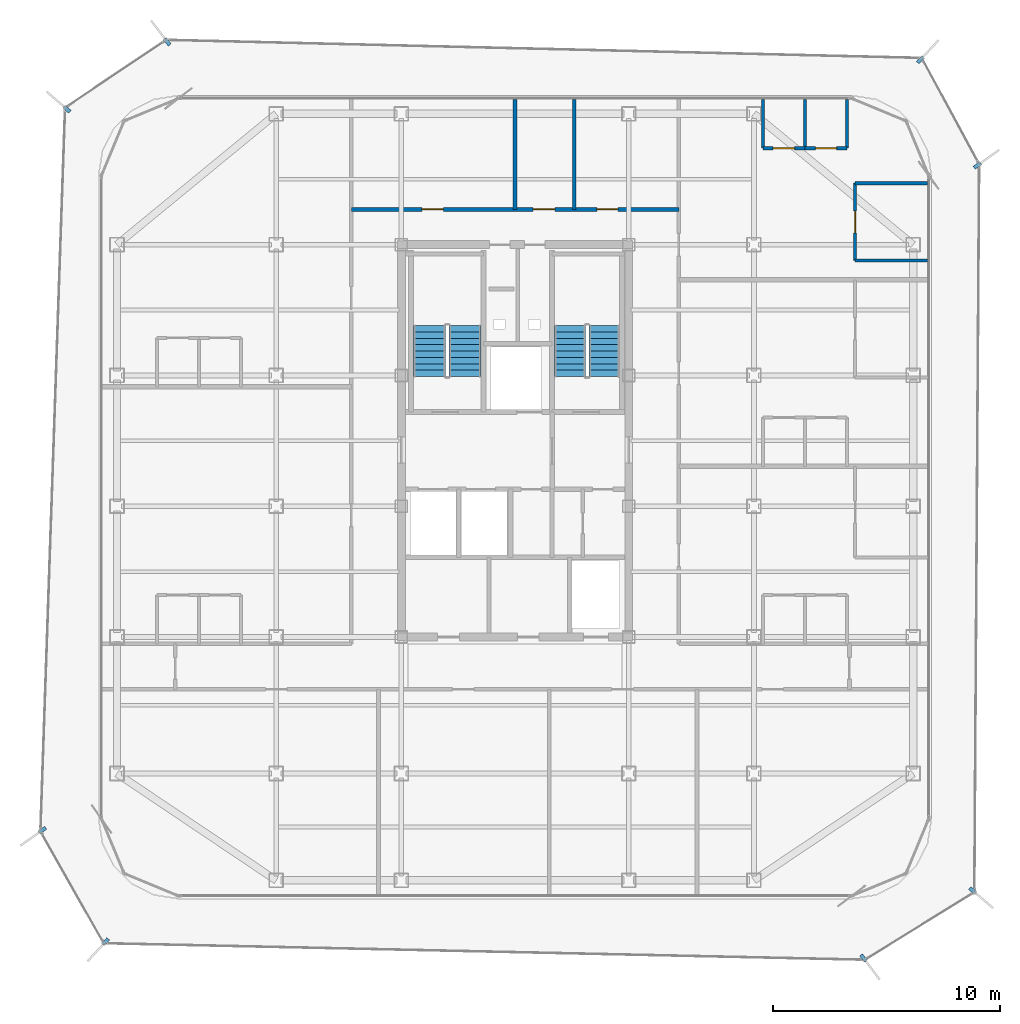
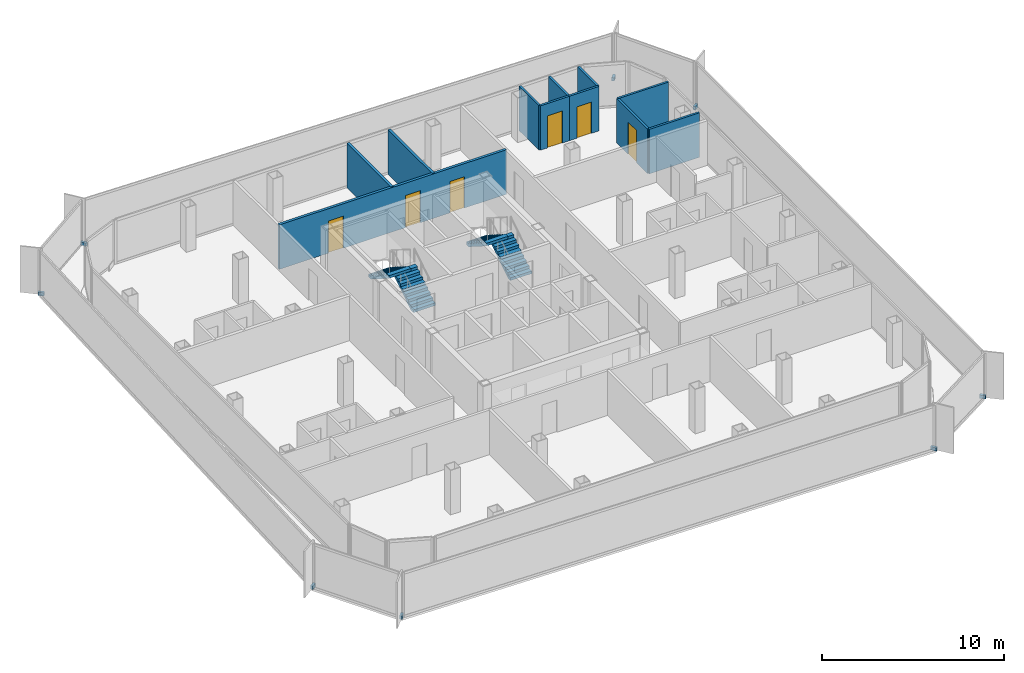
# One storey, part 12 of 15: 11 walls, 8 discrete accessories, 6 doors, 4 stair flights, 6 openings, 2 elements without a shape of their own.
"""IFC4 building model written with IfcOpenShell, lengths in metres."""

from ifc_helpers import new_model, si_unit, direction, frame, frame_2d, origin, origin_2d, place, context, subcontext, project, spatial, polyline, rectangle, outline, extrude, source, transform, mapped, material, layer, layer_set, type_object, element, fill, aggregate, save


model = new_model("IFC4")

# Units and contexts
model_context = context("Model", 3, precision=1e-05, world=origin(), true_north=direction((0.0, 1.0)))
body_context = subcontext(model_context, "Body", "Model", "MODEL_VIEW")
ifc_project = project(units=[si_unit("LENGTHUNIT", "METRE"), si_unit("AREAUNIT", "SQUARE_METRE"), si_unit("VOLUMEUNIT", "CUBIC_METRE"), si_unit("PLANEANGLEUNIT", "RADIAN"), si_unit("MASSUNIT", "GRAM", prefix="KILO")], contexts=[model_context])

# Site, building, storey
site_placement = place(None, origin())
site = spatial("IfcSite", under=ifc_project, at=site_placement, CompositionType="ELEMENT")
building_placement = place(site_placement, origin())
building = spatial("IfcBuilding", under=site, at=building_placement, Name="Kolveth Station Tower", CompositionType="ELEMENT")
storey_placement = place(building_placement, frame((0.0, 0.0, 248.89990234375)))
storey = spatial("IfcBuildingStorey", under=building, at=storey_placement, Name="L71", CompositionType="ELEMENT", Elevation=248.89990234375)

# Wall, opening, door
ifc_material_1 = material(Name="Moisture-resistant gypsum partition")
ifc_layer_1 = layer(ifc_material_1, 0.135009765625)
ifc_layer_set_1 = layer_set([ifc_layer_1], Name="Moisture-resistant gypsum partition")
wall_type_1 = type_object("IfcWallType", Name="Wall_IW-135", PredefinedType="PARTITIONING", material=ifc_layer_set_1)
wall_1_placement = place(storey_placement, frame((34.39990234375, 32.989990234375, 0.0), z_axis=(0.0, 0.0, 1.0), x_axis=(1.0, 0.0, 0.0)))
wall_1 = element("IfcWall", 1, at=wall_1_placement, inside=storey, type_object=wall_type_1, Name="L71 Partition Wall WL-L71-E3-IBHK", PredefinedType="PARTITIONING", context=body_context, shape_type="SweptSolid", body=[
    extrude(rectangle(XDim=1.85009765625, YDim=0.135009765625, at=frame_2d((0.925048828125, 0.0))), origin(), (0.0, 0.0, 1.0), 2.97998046875),
])
opening_1_placement = place(wall_1_placement, frame((0.445068359375, 0.0, 0.0)))
opening_1 = element("IfcOpeningElement", 2, at=opening_1_placement, cuts=wall_1, Name="Opening ID1", PredefinedType="OPENING", context=body_context, shape_type="SweptSolid", body=[
    extrude(rectangle(XDim=0.949951171875, YDim=2.14990234375, at=frame_2d((0.47509765625, 1.074951171875))), frame((0.0, 0.077392578125, 0.0), z_axis=(0.0, -1.0, 0.0), x_axis=(1.0, 0.0, 0.0)), (0.0, 0.0, 1.0), 0.155029296875),
])
ifc_material_2 = material(Name="Acoustic hardwood leaf and aluminium frame", Category="wood")
door_type_1 = type_object("IfcDoorType", Name="Door_ID1", OperationType="NOTDEFINED", PredefinedType="DOOR", material=ifc_material_2)
door_1_placement = place(opening_1_placement, frame((0.949951171875, 0.0, 0.0), z_axis=(0.0, 0.0, 1.0), x_axis=(-1.0, 0.0, 0.0)))
door_1 = element("IfcDoor", 3, at=door_1_placement, inside=storey, type_object=door_type_1, Name="Flat L71-E3 Kitchen Door", OperationType="SINGLE_SWING_LEFT", OverallHeight=2.14990234375, OverallWidth=0.949951171875, PredefinedType="DOOR", context=body_context, shape_type="SweptSolid", body=[
    extrude(rectangle(XDim=0.949951171875, YDim=2.14990234375, at=frame_2d((0.47509765625, 1.074951171875))), frame((0.0, 0.02490234375, 0.0), z_axis=(0.0, -1.0, 0.0), x_axis=(1.0, 0.0, 0.0)), (0.0, 0.0, 1.0), 0.050048828125),
])
fill(opening_1, door_1)

wall_2_placement = place(storey_placement, frame((36.25, 32.989990234375, 0.0), z_axis=(0.0, 0.0, 1.0), x_axis=(1.0, 0.0, 0.0)))
wall_2 = element("IfcWall", 4, at=wall_2_placement, inside=storey, type_object=wall_type_1, Name="L71 Partition Wall WL-L71-E3-IBHB", PredefinedType="PARTITIONING", context=body_context, shape_type="SweptSolid", body=[
    extrude(rectangle(XDim=1.85009765625, YDim=0.135009765625, at=frame_2d((0.925048828125, 0.0))), origin(), (0.0, 0.0, 1.0), 2.97998046875),
])
opening_2_placement = place(wall_2_placement, frame((0.465087890625, 0.0, 0.0)))
opening_2 = element("IfcOpeningElement", 5, at=opening_2_placement, cuts=wall_2, Name="Opening ID2", PredefinedType="OPENING", context=body_context, shape_type="SweptSolid", body=[
    extrude(rectangle(XDim=0.919921875, YDim=2.10009765625, at=frame_2d((0.4599609375, 1.050048828125))), frame((0.0, 0.077392578125, 0.0), z_axis=(0.0, -1.0, 0.0), x_axis=(1.0, 0.0, 0.0)), (0.0, 0.0, 1.0), 0.155029296875),
])
ifc_material_3 = material(Name="Moisture-resistant hardwood leaf", Category="wood")
door_type_2 = type_object("IfcDoorType", Name="Door_ID2", OperationType="NOTDEFINED", PredefinedType="DOOR", material=ifc_material_3)
door_2_placement = place(opening_2_placement, frame((0.919921875, 0.0, 0.0), z_axis=(0.0, 0.0, 1.0), x_axis=(-1.0, 0.0, 0.0)))
door_2 = element("IfcDoor", 6, at=door_2_placement, inside=storey, type_object=door_type_2, Name="Flat L71-E3 Bathroom Door", OperationType="SINGLE_SWING_RIGHT", OverallHeight=2.10009765625, OverallWidth=0.919921875, PredefinedType="DOOR", context=body_context, shape_type="SweptSolid", body=[
    extrude(rectangle(XDim=0.919921875, YDim=2.10009765625, at=frame_2d((0.4599609375, 1.050048828125))), frame((0.0, 0.02490234375, 0.0), z_axis=(0.0, -1.0, 0.0), x_axis=(1.0, 0.0, 0.0)), (0.0, 0.0, 1.0), 0.050048828125),
])
fill(opening_2, door_2)

# Walls
for number, where, z_axis, x_axis, name in (
    (7, (34.39990234375, 32.989990234375, 0.0), (0.0, 0.0, 1.0), (0.0, 1.0, 0.0), "L71 Partition Wall WL-L71-E3-IBV0"),
    (8, (36.25, 32.989990234375, 0.0), (0.0, 0.0, 1.0), (0.0, 1.0, 0.0), "L71 Partition Wall WL-L71-E3-IBV1"),
    (9, (38.10009765625, 32.989990234375, 0.0), (0.0, 0.0, 1.0), (0.0, 1.0, 0.0), "L71 Partition Wall WL-L71-E3-IBV2"),
):
    element("IfcWall", number, at=place(storey_placement, frame(where, z_axis=z_axis, x_axis=x_axis)), inside=storey, type_object=wall_type_1, Name=name, PredefinedType="PARTITIONING", context=body_context, shape_type="SweptSolid", body=[
        extrude(rectangle(XDim=2.14990234375, YDim=0.135009765625, at=frame_2d((1.074951171875, 0.0))), origin(), (0.0, 0.0, 1.0), 2.97998046875),
    ])
for number, where, z_axis, x_axis, name in (
    (10, (38.449951171875, 28.050048828125, 0.0), (0.0, 0.0, 1.0), (1.0, 0.0, 0.0), "L71 Partition Wall WL-L71-E3-BDH0"),
    (11, (38.449951171875, 31.449951171875, 0.0), (0.0, 0.0, 1.0), (1.0, 0.0, 0.0), "L71 Partition Wall WL-L71-E3-BDHE"),
):
    element("IfcWall", number, at=place(storey_placement, frame(where, z_axis=z_axis, x_axis=x_axis)), inside=storey, type_object=wall_type_1, Name=name, PredefinedType="PARTITIONING", context=body_context, shape_type="SweptSolid", body=[
        extrude(rectangle(XDim=3.18994140625, YDim=0.135009765625, at=frame_2d((1.594970703125, 0.0))), origin(), (0.0, 0.0, 1.0), 2.97998046875),
    ])

# Wall, opening, door
wall_3_placement = place(storey_placement, frame((38.449951171875, 28.050048828125, 0.0), z_axis=(0.0, 0.0, 1.0), x_axis=(0.0, 1.0, 0.0)))
wall_3 = element("IfcWall", 12, at=wall_3_placement, inside=storey, type_object=wall_type_1, Name="L71 Partition Wall WL-L71-E3-BDV1", PredefinedType="PARTITIONING", context=body_context, shape_type="SweptSolid", body=[
    extrude(rectangle(XDim=3.39990234375, YDim=0.135009765625, at=frame_2d((1.699951171875, 0.0))), origin(), (0.0, 0.0, 1.0), 2.97998046875),
])
opening_3_placement = place(wall_3_placement, frame((1.219970703125, 0.0, 0.0)))
opening_3 = element("IfcOpeningElement", 13, at=opening_3_placement, cuts=wall_3, Name="Opening ID1", PredefinedType="OPENING", context=body_context, shape_type="SweptSolid", body=[
    extrude(rectangle(XDim=0.949951171875, YDim=2.14990234375, at=frame_2d((0.47509765625, 1.074951171875))), frame((0.0, 0.077392578125, 0.0), z_axis=(0.0, -1.0, 0.0), x_axis=(1.0, 0.0, 0.0)), (0.0, 0.0, 1.0), 0.155029296875),
])
door_3_placement = place(opening_3_placement, frame((0.949951171875, 0.0, 0.0), z_axis=(0.0, 0.0, 1.0), x_axis=(-1.0, 0.0, 0.0)))
door_3 = element("IfcDoor", 14, at=door_3_placement, inside=storey, type_object=door_type_1, Name="Flat L71-E3 Bedroom 1 Door", OperationType="SINGLE_SWING_LEFT", OverallHeight=2.14990234375, OverallWidth=0.949951171875, PredefinedType="DOOR", context=body_context, shape_type="SweptSolid", body=[
    extrude(rectangle(XDim=0.949951171875, YDim=2.14990234375, at=frame_2d((0.47509765625, 1.074951171875))), frame((0.0, 0.02490234375, 0.0), z_axis=(0.0, -1.0, 0.0), x_axis=(1.0, 0.0, 0.0)), (0.0, 0.0, 1.0), 0.050048828125),
])
fill(opening_3, door_3)

# Wall, openings, doors
ifc_material_4 = material(Name="Acoustic double-stud gypsum partition")
ifc_layer_2 = layer(ifc_material_4, 0.1650390625)
ifc_layer_set_2 = layer_set([ifc_layer_2], Name="Acoustic double-stud gypsum partition")
wall_type_2 = type_object("IfcWallType", Name="Wall_IW-165", PredefinedType="PARTITIONING", material=ifc_layer_set_2)
wall_4_placement = place(storey_placement, frame((16.300048828125, 30.300048828125, 0.0), z_axis=(0.0, 0.0, 1.0), x_axis=(1.0, 0.0, 0.0)))
wall_4 = element("IfcWall", 15, at=wall_4_placement, inside=storey, type_object=wall_type_2, Name="L71 Partition Wall WL-L71-RN", PredefinedType="PARTITIONING", context=body_context, shape_type="SweptSolid", body=[
    extrude(rectangle(XDim=14.39990234375, YDim=0.1650390625, at=frame_2d((7.199951171875, 0.0))), origin(), (0.0, 0.0, 1.0), 2.97998046875),
])
opening_4_placement = place(wall_4_placement, frame((3.10009765625, 0.0, 0.0)))
opening_4 = element("IfcOpeningElement", 16, at=opening_4_placement, cuts=wall_4, Name="Opening ID1", PredefinedType="OPENING", context=body_context, shape_type="SweptSolid", body=[
    extrude(rectangle(XDim=0.949951171875, YDim=2.14990234375, at=frame_2d((0.47509765625, 1.074951171875))), frame((0.0, 0.092529296875, 0.0), z_axis=(0.0, -1.0, 0.0), x_axis=(1.0, 0.0, 0.0)), (0.0, 0.0, 1.0), 0.18505859375),
])
opening_5_placement = place(wall_4_placement, frame((8.0, 0.0, 0.0)))
opening_5 = element("IfcOpeningElement", 17, at=opening_5_placement, cuts=wall_4, Name="Opening ID1", PredefinedType="OPENING", context=body_context, shape_type="SweptSolid", body=[
    extrude(rectangle(XDim=0.949951171875, YDim=2.14990234375, at=frame_2d((0.47509765625, 1.074951171875))), frame((0.0, 0.092529296875, 0.0), z_axis=(0.0, -1.0, 0.0), x_axis=(1.0, 0.0, 0.0)), (0.0, 0.0, 1.0), 0.18505859375),
])
opening_6_placement = place(wall_4_placement, frame((10.800048828125, 0.0, 0.0)))
opening_6 = element("IfcOpeningElement", 18, at=opening_6_placement, cuts=wall_4, Name="Opening ID2", PredefinedType="OPENING", context=body_context, shape_type="SweptSolid", body=[
    extrude(rectangle(XDim=0.919921875, YDim=2.10009765625, at=frame_2d((0.4599609375, 1.050048828125))), frame((0.0, 0.092529296875, 0.0), z_axis=(0.0, -1.0, 0.0), x_axis=(1.0, 0.0, 0.0)), (0.0, 0.0, 1.0), 0.18505859375),
])
door_4_placement = place(opening_4_placement, origin())
door_4 = element("IfcDoor", 19, at=door_4_placement, inside=storey, type_object=door_type_1, Name="L71 Residents' Sky Lounge Door", OperationType="SINGLE_SWING_LEFT", OverallHeight=2.14990234375, OverallWidth=0.949951171875, PredefinedType="DOOR", context=body_context, shape_type="SweptSolid", body=[
    extrude(rectangle(XDim=0.949951171875, YDim=2.14990234375, at=frame_2d((0.47509765625, 1.074951171875))), frame((0.0, 0.02490234375, 0.0), z_axis=(0.0, -1.0, 0.0), x_axis=(1.0, 0.0, 0.0)), (0.0, 0.0, 1.0), 0.050048828125),
])
fill(opening_4, door_4)
door_5_placement = place(opening_5_placement, origin())
door_5 = element("IfcDoor", 20, at=door_5_placement, inside=storey, type_object=door_type_1, Name="L71 Residents' Committee Room Door", OperationType="SINGLE_SWING_RIGHT", OverallHeight=2.14990234375, OverallWidth=0.949951171875, PredefinedType="DOOR", context=body_context, shape_type="SweptSolid", body=[
    extrude(rectangle(XDim=0.949951171875, YDim=2.14990234375, at=frame_2d((0.47509765625, 1.074951171875))), frame((0.0, 0.02490234375, 0.0), z_axis=(0.0, -1.0, 0.0), x_axis=(1.0, 0.0, 0.0)), (0.0, 0.0, 1.0), 0.050048828125),
])
fill(opening_5, door_5)
door_6_placement = place(opening_6_placement, origin())
door_6 = element("IfcDoor", 21, at=door_6_placement, inside=storey, type_object=door_type_2, Name="L71 Accessible Residents' WC Door", OperationType="SINGLE_SWING_LEFT", OverallHeight=2.10009765625, OverallWidth=0.919921875, PredefinedType="DOOR", context=body_context, shape_type="SweptSolid", body=[
    extrude(rectangle(XDim=0.919921875, YDim=2.10009765625, at=frame_2d((0.4599609375, 1.050048828125))), frame((0.0, 0.02490234375, 0.0), z_axis=(0.0, -1.0, 0.0), x_axis=(1.0, 0.0, 0.0)), (0.0, 0.0, 1.0), 0.050048828125),
])
fill(opening_6, door_6)

# Walls
for number, where, z_axis, x_axis, name in (
    (22, (23.5, 30.300048828125, 0.0), (0.0, 0.0, 1.0), (0.0, 1.0, 0.0), "L71 Partition Wall WL-L71-RN-P1"),
    (23, (26.10009765625, 30.300048828125, 0.0), (0.0, 0.0, 1.0), (0.0, 1.0, 0.0), "L71 Partition Wall WL-L71-RN-P2"),
):
    element("IfcWall", number, at=place(storey_placement, frame(where, z_axis=z_axis, x_axis=x_axis)), inside=storey, type_object=wall_type_2, Name=name, PredefinedType="PARTITIONING", context=body_context, shape_type="SweptSolid", body=[
        extrude(rectangle(XDim=4.83984375, YDim=0.1650390625, at=frame_2d((2.419921875, 0.0))), origin(), (0.0, 0.0, 1.0), 2.97998046875),
    ])

# Stair, stair flights
ifc_material_5 = material(Name="Concrete C40/50", Category="concrete")
stair_type_1 = type_object("IfcStairType", Name="Stair_ST1", PredefinedType="HALF_TURN_STAIR", material=ifc_material_5)
stair_1_placement = place(storey_placement, origin())
stair_1 = element("IfcStair", 24, at=stair_1_placement, inside=storey, type_object=stair_type_1, Name="L71 Tower Exit Stair ST1", PredefinedType="HALF_TURN_STAIR")
ifc_layer_3 = layer(ifc_material_5, 0.179931640625)
ifc_layer_set_3 = layer_set([ifc_layer_3], Name="Concrete C40/50")
stair_flight_type_1 = type_object("IfcStairFlightType", Name="Flight_ST1", PredefinedType="STRAIGHT", material=ifc_layer_set_3)
stair_flight_1_placement = place(storey_placement, frame((21.300048828125, 22.949951171875, 0.0), z_axis=(0.0, 0.0, 1.0), x_axis=(0.0, 1.0, 0.0)))
stair_flight_1 = element("IfcStairFlight", 25, at=stair_flight_1_placement, type_object=stair_flight_type_1, Name="ST1 flight 1", NumberOfRisers=9, NumberOfTreads=8, PredefinedType="STRAIGHT", RiserHeight=0.177777778, TreadLength=0.28, context=body_context, shape_type="SweptSolid", body=[
    extrude(outline(polyline([(0.0, 0.0), (0.0, 0.177734375), (0.280029296875, 0.177734375), (0.280029296875, 0.35546875), (0.56005859375, 0.35546875), (0.56005859375, 0.533447265625), (0.840087890625, 0.533447265625), (0.840087890625, 0.711181640625), (1.1201171875, 0.711181640625), (1.1201171875, 0.888916015625), (1.39990234375, 0.888916015625), (1.39990234375, 1.066650390625), (1.679931640625, 1.066650390625), (1.679931640625, 1.244384765625), (1.9599609375, 1.244384765625), (1.9599609375, 1.422119140625), (2.239990234375, 1.422119140625), (2.239990234375, 1.60009765625), (2.239990234375, 1.24462890625), (0.27978515625, 0.0), (0.0, 0.0)])), frame((0.0, 0.699951171875, 0.0), z_axis=(0.0, -1.0, 0.0), x_axis=(1.0, 0.0, 0.0)), (0.0, 0.0, 1.0), 1.39990234375),
])
stair_flight_2_placement = place(storey_placement, frame((19.739990234375, 25.18994140625, 1.60009765625), z_axis=(0.0, 0.0, 1.0), x_axis=(0.0, -1.0, 0.0)))
stair_flight_2 = element("IfcStairFlight", 26, at=stair_flight_2_placement, type_object=stair_flight_type_1, Name="ST1 flight 2", NumberOfRisers=9, NumberOfTreads=8, PredefinedType="STRAIGHT", RiserHeight=0.177777778, TreadLength=0.28, context=body_context, shape_type="SweptSolid", body=[
    extrude(outline(polyline([(0.0, 0.0), (0.0, 0.177734375), (0.280029296875, 0.177734375), (0.280029296875, 0.35546875), (0.56005859375, 0.35546875), (0.56005859375, 0.533447265625), (0.840087890625, 0.533447265625), (0.840087890625, 0.711181640625), (1.1201171875, 0.711181640625), (1.1201171875, 0.888916015625), (1.39990234375, 0.888916015625), (1.39990234375, 1.066650390625), (1.679931640625, 1.066650390625), (1.679931640625, 1.244384765625), (1.9599609375, 1.244384765625), (1.9599609375, 1.422119140625), (2.239990234375, 1.422119140625), (2.239990234375, 1.60009765625), (2.239990234375, 1.24462890625), (0.27978515625, 0.0), (0.0, 0.0)])), frame((0.0, 0.699951171875, 0.0), z_axis=(0.0, -1.0, 0.0), x_axis=(1.0, 0.0, 0.0)), (0.0, 0.0, 1.0), 1.39990234375),
])
aggregate(stair_1, [stair_flight_1, stair_flight_2])

stair_type_2 = type_object("IfcStairType", Name="Stair_ST2", PredefinedType="HALF_TURN_STAIR", material=ifc_material_5)
stair_2_placement = place(storey_placement, origin())
stair_2 = element("IfcStair", 27, at=stair_2_placement, inside=storey, type_object=stair_type_2, Name="L71 Tower Exit Stair ST2", PredefinedType="HALF_TURN_STAIR")
ifc_layer_4 = layer(ifc_material_5, 0.179931640625)
ifc_layer_set_4 = layer_set([ifc_layer_4], Name="Concrete C40/50")
stair_flight_type_2 = type_object("IfcStairFlightType", Name="Flight_ST2", PredefinedType="STRAIGHT", material=ifc_layer_set_4)
stair_flight_3_placement = place(storey_placement, frame((27.425048828125, 22.949951171875, 0.0), z_axis=(0.0, 0.0, 1.0), x_axis=(0.0, 1.0, 0.0)))
stair_flight_3 = element("IfcStairFlight", 28, at=stair_flight_3_placement, type_object=stair_flight_type_2, Name="ST2 flight 1", NumberOfRisers=9, NumberOfTreads=8, PredefinedType="STRAIGHT", RiserHeight=0.177777778, TreadLength=0.28, context=body_context, shape_type="SweptSolid", body=[
    extrude(outline(polyline([(0.0, 0.0), (0.0, 0.177734375), (0.280029296875, 0.177734375), (0.280029296875, 0.35546875), (0.56005859375, 0.35546875), (0.56005859375, 0.533447265625), (0.840087890625, 0.533447265625), (0.840087890625, 0.711181640625), (1.1201171875, 0.711181640625), (1.1201171875, 0.888916015625), (1.39990234375, 0.888916015625), (1.39990234375, 1.066650390625), (1.679931640625, 1.066650390625), (1.679931640625, 1.244384765625), (1.9599609375, 1.244384765625), (1.9599609375, 1.422119140625), (2.239990234375, 1.422119140625), (2.239990234375, 1.60009765625), (2.239990234375, 1.24462890625), (0.27978515625, 0.0), (0.0, 0.0)])), frame((0.0, 0.675048828125, 0.0), z_axis=(0.0, -1.0, 0.0), x_axis=(1.0, 0.0, 0.0)), (0.0, 0.0, 1.0), 1.35009765625),
])
stair_flight_4_placement = place(storey_placement, frame((25.9150390625, 25.18994140625, 1.60009765625), z_axis=(0.0, 0.0, 1.0), x_axis=(0.0, -1.0, 0.0)))
stair_flight_4 = element("IfcStairFlight", 29, at=stair_flight_4_placement, type_object=stair_flight_type_2, Name="ST2 flight 2", NumberOfRisers=9, NumberOfTreads=8, PredefinedType="STRAIGHT", RiserHeight=0.177777778, TreadLength=0.28, context=body_context, shape_type="SweptSolid", body=[
    extrude(outline(polyline([(0.0, 0.0), (0.0, 0.177734375), (0.280029296875, 0.177734375), (0.280029296875, 0.35546875), (0.56005859375, 0.35546875), (0.56005859375, 0.533447265625), (0.840087890625, 0.533447265625), (0.840087890625, 0.711181640625), (1.1201171875, 0.711181640625), (1.1201171875, 0.888916015625), (1.39990234375, 0.888916015625), (1.39990234375, 1.066650390625), (1.679931640625, 1.066650390625), (1.679931640625, 1.244384765625), (1.9599609375, 1.244384765625), (1.9599609375, 1.422119140625), (2.239990234375, 1.422119140625), (2.239990234375, 1.60009765625), (2.239990234375, 1.24462890625), (0.27978515625, 0.0), (0.0, 0.0)])), frame((0.0, 0.675048828125, 0.0), z_axis=(0.0, -1.0, 0.0), x_axis=(1.0, 0.0, 0.0)), (0.0, 0.0, 1.0), 1.35009765625),
])
aggregate(stair_2, [stair_flight_3, stair_flight_4])

# Discrete accessories
ifc_material_6 = material(Name="Steel S355", Category="steel")
discrete_accessory_type = type_object("IfcDiscreteAccessoryType", Name="Bracket_BK1", PredefinedType="BRACKET", material=ifc_material_6)
shared_shape = source(origin(), body_context, "Body", "SweptSolid", [
    extrude(rectangle(XDim=0.35009765625, YDim=0.159912109375, at=origin_2d()), origin(), (0.0, 0.0, 1.0), 0.219970703125),
])
for number, where, z_axis, x_axis, name in (
    (30, (38.818115234375, -2.614013671875, -0.06005859375), (0.0, 0.0, 1.0), (0.603068773902, -0.797689196331, 0.0), "L71 Double-Skin Radial Tie Bracket 1"),
    (31, (43.625, 0.35107421875, -0.06005859375), (0.0, 0.0, 1.0), (0.758361915289, -0.651833725301, 0.0), "L71 Double-Skin Radial Tie Bracket 2"),
    (32, (43.830078125, 32.23388671875, -0.06005859375), (0.0, 0.0, 1.0), (0.812592453382, 0.582832312683, 0.0), "L71 Double-Skin Radial Tie Bracket 3"),
    (33, (41.322021484375, 36.87890625, -0.06005859375), (0.0, 0.0, 1.0), (0.679825391166, 0.733374009306, 0.0), "L71 Double-Skin Radial Tie Bracket 4"),
    (34, (8.212890625, 37.666015625, -0.06005859375), (0.0, 0.0, 1.0), (-0.606959801962, 0.79473253287, 0.0), "L71 Double-Skin Radial Tie Bracket 5"),
    (35, (3.800048828125, 34.705078125, -0.06005859375), (0.0, 0.0, 1.0), (-0.756081970773, 0.6544769312, 0.0), "L71 Double-Skin Radial Tie Bracket 6"),
    (36, (2.722900390625, 3.010009765625, -0.06005859375), (0.0, 0.0, 1.0), (-0.817446605564, -0.576004381105, 0.0), "L71 Double-Skin Radial Tie Bracket 7"),
    (37, (5.49609375, -1.89599609375, -0.06005859375), (0.0, 0.0, 1.0), (-0.677518077755, -0.735506121195, 0.0), "L71 Double-Skin Radial Tie Bracket 8"),
):
    element("IfcDiscreteAccessory", number, at=place(storey_placement, frame(where, z_axis=z_axis, x_axis=x_axis)), inside=storey, type_object=discrete_accessory_type, Name=name, PredefinedType="BRACKET", context=body_context, shape_type="MappedRepresentation", body=[
        mapped(shared_shape, transform((0.0, 0.0, 0.0), x_axis=(1.0, 0.0, 0.0), y_axis=(0.0, 1.0, 0.0), z_axis=(0.0, 0.0, 1.0), scale=1.0)),
    ])

save(model, "model.ifc")
